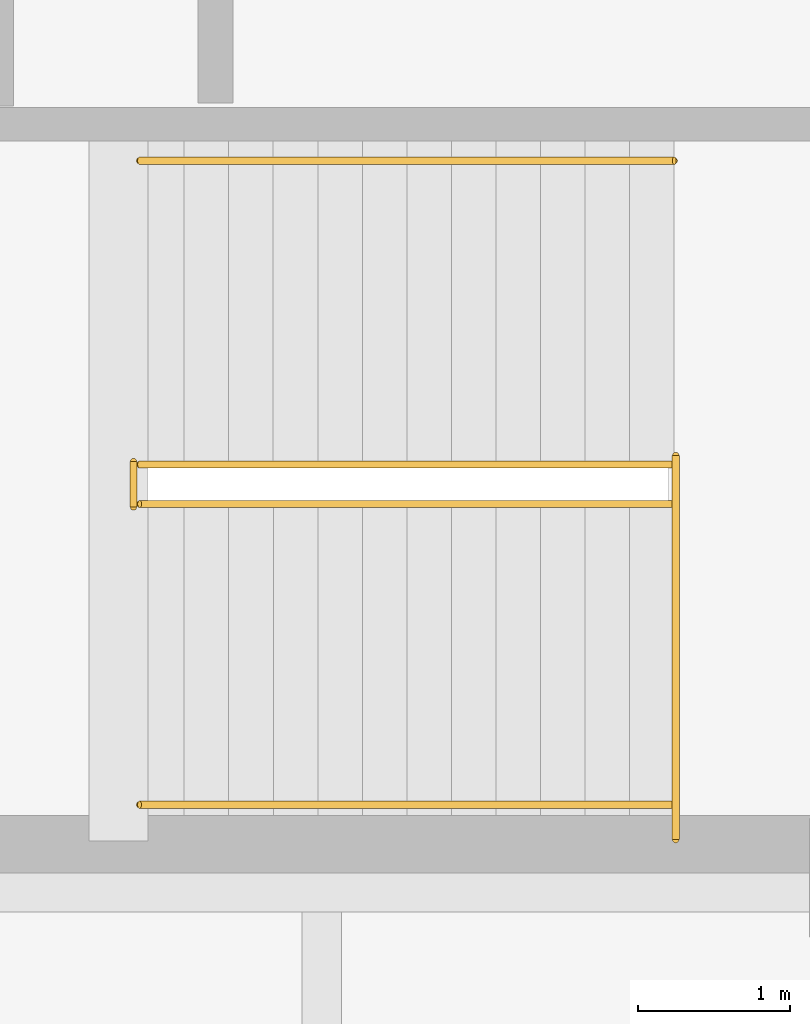
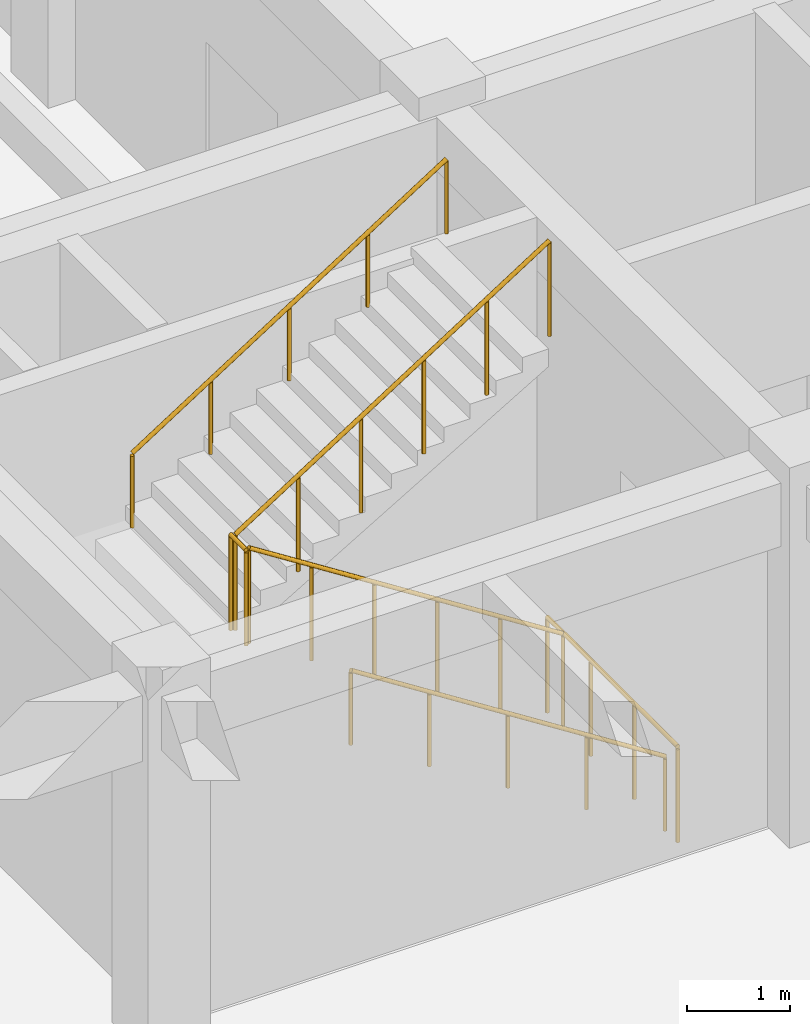
# One storey, part 61 of 61: 6 railings.
"""IFC4 building model written with IfcOpenShell, lengths in metres."""

from ifc_helpers import new_model, si_unit, direction, frame, origin, origin_2d, place, context, subcontext, project, spatial, circle, extrude, material, type_object, element, save


model = new_model("IFC4")

# Units and contexts
model_context = context("Model", 3, precision=1e-05, world=origin(), true_north=direction((0.0, 1.0)))
body_context = subcontext(model_context, "Body", "Model", "MODEL_VIEW")
ifc_project = project(units=[si_unit("LENGTHUNIT", "METRE"), si_unit("AREAUNIT", "SQUARE_METRE"), si_unit("VOLUMEUNIT", "CUBIC_METRE"), si_unit("PLANEANGLEUNIT", "RADIAN"), si_unit("MASSUNIT", "GRAM", prefix="KILO")], contexts=[model_context])

# Site, building, storey
site_placement = place(None, origin())
site = spatial("IfcSite", under=ifc_project, at=site_placement, CompositionType="ELEMENT")
building_placement = place(site_placement, origin())
building = spatial("IfcBuilding", under=site, at=building_placement, Name="Thalmaran Polytechnic", CompositionType="ELEMENT")
storey_placement = place(building_placement, frame((0.0, 0.0, 9.89990234375)))
storey = spatial("IfcBuildingStorey", under=building, at=storey_placement, Name="L02", CompositionType="ELEMENT", Elevation=9.89990234375)

# Railings
ifc_material = material(Name="Stainless steel 316", Category="steel")
railing_type_1 = type_object("IfcRailingType", Name="RL-GR01", PredefinedType="GUARDRAIL", material=ifc_material)
railing_1_placement = place(storey_placement, frame((142.72998046875, 86.64990234375, 0.0)))
element("IfcRailing", 1, at=railing_1_placement, inside=storey, type_object=railing_type_1, Name="ST5 L02 Landing Edge Guardrail", PredefinedType="GUARDRAIL", context=body_context, shape_type="SweptSolid", body=[
    extrude(circle(Radius=0.02392578125, at=origin_2d()), frame((0.0, 0.0, 1.1259765625), z_axis=(0.0, 1.0, 0.0), x_axis=(-1.0, 0.0, 0.0)), (0.0, 0.0, 1.0), 2.530029296875),
    extrude(circle(Radius=0.02099609375, at=origin_2d()), origin(), (0.0, 0.0, 1.0), 1.101806640625),
    extrude(circle(Radius=0.02099609375, at=origin_2d()), frame((0.0, 0.84326171875, 0.0)), (0.0, 0.0, 1.0), 1.101806640625),
    extrude(circle(Radius=0.02099609375, at=origin_2d()), frame((0.0, 1.686767578125, 0.0)), (0.0, 0.0, 1.0), 1.101806640625),
    extrude(circle(Radius=0.02099609375, at=origin_2d()), frame((0.0, 2.530029296875, 0.0)), (0.0, 0.0, 1.0), 1.101806640625),
])
railing_2_placement = place(storey_placement, frame((142.719970703125, 88.860107421875, 0.0)))
element("IfcRailing", 2, at=railing_2_placement, inside=storey, type_object=railing_type_1, Name="ST5 L02 Lower Flight Guardrail", PredefinedType="GUARDRAIL", context=body_context, shape_type="SweptSolid", body=[
    extrude(circle(Radius=0.02392578125, at=origin_2d()), frame((0.0, 0.0, 1.1259765625), z_axis=(-0.84257692701, 0.0, 0.53857601327), x_axis=(0.0, -1.0, 0.0)), (0.0, 0.0, 1.0), 4.177734375),
    extrude(circle(Radius=0.02099609375, at=origin_2d()), origin(), (0.0, 0.0, 1.0), 1.101806640625),
    extrude(circle(Radius=0.02099609375, at=origin_2d()), frame((-0.7041015625, 0.0, 0.449951171875)), (0.0, 0.0, 1.0), 1.101806640625),
    extrude(circle(Radius=0.02099609375, at=origin_2d()), frame((-1.407958984375, 0.0, 0.89990234375)), (0.0, 0.0, 1.0), 1.101806640625),
    extrude(circle(Radius=0.02099609375, at=origin_2d()), frame((-2.112060546875, 0.0, 1.35009765625)), (0.0, 0.0, 1.0), 1.101806640625),
    extrude(circle(Radius=0.02099609375, at=origin_2d()), frame((-2.81591796875, 0.0, 1.800048828125)), (0.0, 0.0, 1.0), 1.101806640625),
    extrude(circle(Radius=0.02099609375, at=origin_2d()), frame((-3.52001953125, 0.0, 2.25)), (0.0, 0.0, 1.0), 1.101806640625),
])
railing_3_placement = place(storey_placement, frame((139.159912109375, 88.840087890625, 2.25)))
element("IfcRailing", 3, at=railing_3_placement, inside=storey, type_object=railing_type_1, Name="ST5 L02 Half-Landing Well Guardrail", PredefinedType="GUARDRAIL", context=body_context, shape_type="SweptSolid", body=[
    extrude(circle(Radius=0.02392578125, at=origin_2d()), frame((0.0, 0.0, 1.1259765625), z_axis=(0.0, 1.0, 0.0), x_axis=(-1.0, 0.0, 0.0)), (0.0, 0.0, 1.0), 0.2998046875),
    extrude(circle(Radius=0.02099609375, at=origin_2d()), origin(), (0.0, 0.0, 1.0), 1.101806640625),
    extrude(circle(Radius=0.02099609375, at=origin_2d()), frame((0.0, 0.2998046875, 0.0)), (0.0, 0.0, 1.0), 1.101806640625),
])
railing_4_placement = place(storey_placement, frame((139.199951171875, 89.1201171875, 2.25)))
element("IfcRailing", 4, at=railing_4_placement, inside=storey, type_object=railing_type_1, Name="ST5 L02 Upper Flight Guardrail", PredefinedType="GUARDRAIL", context=body_context, shape_type="SweptSolid", body=[
    extrude(circle(Radius=0.02392578125, at=origin_2d()), frame((0.0, 0.0, 1.1259765625), z_axis=(0.84257692701, 0.0, 0.53857601327), x_axis=(0.0, 1.0, 0.0)), (0.0, 0.0, 1.0), 4.177734375),
    extrude(circle(Radius=0.02099609375, at=origin_2d()), origin(), (0.0, 0.0, 1.0), 1.101806640625),
    extrude(circle(Radius=0.02099609375, at=origin_2d()), frame((0.7041015625, 0.0, 0.449951171875)), (0.0, 0.0, 1.0), 1.101806640625),
    extrude(circle(Radius=0.02099609375, at=origin_2d()), frame((1.407958984375, 0.0, 0.89990234375)), (0.0, 0.0, 1.0), 1.101806640625),
    extrude(circle(Radius=0.02099609375, at=origin_2d()), frame((2.112060546875, 0.0, 1.35009765625)), (0.0, 0.0, 1.0), 1.101806640625),
    extrude(circle(Radius=0.02099609375, at=origin_2d()), frame((2.81591796875, 0.0, 1.800048828125)), (0.0, 0.0, 1.0), 1.101806640625),
    extrude(circle(Radius=0.02099609375, at=origin_2d()), frame((3.52001953125, 0.0, 2.25)), (0.0, 0.0, 1.0), 1.101806640625),
])
railing_type_2 = type_object("IfcRailingType", Name="RL-HR01", PredefinedType="HANDRAIL", material=ifc_material)
railing_5_placement = place(storey_placement, frame((142.719970703125, 86.8798828125, 0.0)))
element("IfcRailing", 5, at=railing_5_placement, inside=storey, type_object=railing_type_2, Name="ST5 L02 Flight 1 Handrail", PredefinedType="HANDRAIL", context=body_context, shape_type="SweptSolid", body=[
    extrude(circle(Radius=0.02392578125, at=origin_2d()), frame((0.0, 0.0, 0.8759765625), z_axis=(-0.84257692701, 0.0, 0.53857601327), x_axis=(0.0, -1.0, 0.0)), (0.0, 0.0, 1.0), 4.177734375),
    extrude(circle(Radius=0.02099609375, at=origin_2d()), origin(), (0.0, 0.0, 1.0), 0.851806640625),
    extrude(circle(Radius=0.02099609375, at=origin_2d()), frame((-0.8798828125, 0.0, 0.5625)), (0.0, 0.0, 1.0), 0.851806640625),
    extrude(circle(Radius=0.02099609375, at=origin_2d()), frame((-1.760009765625, 0.0, 1.125)), (0.0, 0.0, 1.0), 0.851806640625),
    extrude(circle(Radius=0.02099609375, at=origin_2d()), frame((-2.64013671875, 0.0, 1.6875)), (0.0, 0.0, 1.0), 0.851806640625),
    extrude(circle(Radius=0.02099609375, at=origin_2d()), frame((-3.52001953125, 0.0, 2.25)), (0.0, 0.0, 1.0), 0.851806640625),
])
railing_6_placement = place(storey_placement, frame((139.199951171875, 91.1201171875, 2.25)))
element("IfcRailing", 6, at=railing_6_placement, inside=storey, type_object=railing_type_2, Name="ST5 L02 Flight 2 Handrail", PredefinedType="HANDRAIL", context=body_context, shape_type="SweptSolid", body=[
    extrude(circle(Radius=0.02392578125, at=origin_2d()), frame((0.0, 0.0, 0.8759765625), z_axis=(0.84257692701, 0.0, 0.53857601327), x_axis=(0.0, 1.0, 0.0)), (0.0, 0.0, 1.0), 4.177734375),
    extrude(circle(Radius=0.02099609375, at=origin_2d()), origin(), (0.0, 0.0, 1.0), 0.851806640625),
    extrude(circle(Radius=0.02099609375, at=origin_2d()), frame((0.8798828125, 0.0, 0.5625)), (0.0, 0.0, 1.0), 0.851806640625),
    extrude(circle(Radius=0.02099609375, at=origin_2d()), frame((1.760009765625, 0.0, 1.125)), (0.0, 0.0, 1.0), 0.851806640625),
    extrude(circle(Radius=0.02099609375, at=origin_2d()), frame((2.64013671875, 0.0, 1.6875)), (0.0, 0.0, 1.0), 0.851806640625),
    extrude(circle(Radius=0.02099609375, at=origin_2d()), frame((3.52001953125, 0.0, 2.25)), (0.0, 0.0, 1.0), 0.851806640625),
])

save(model, "model.ifc")
